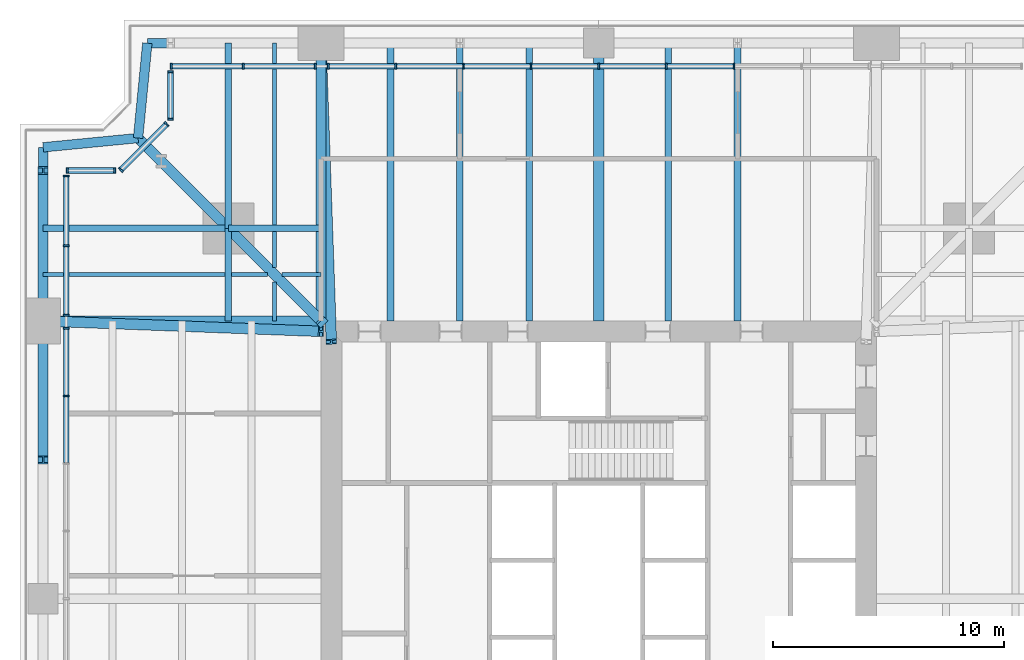
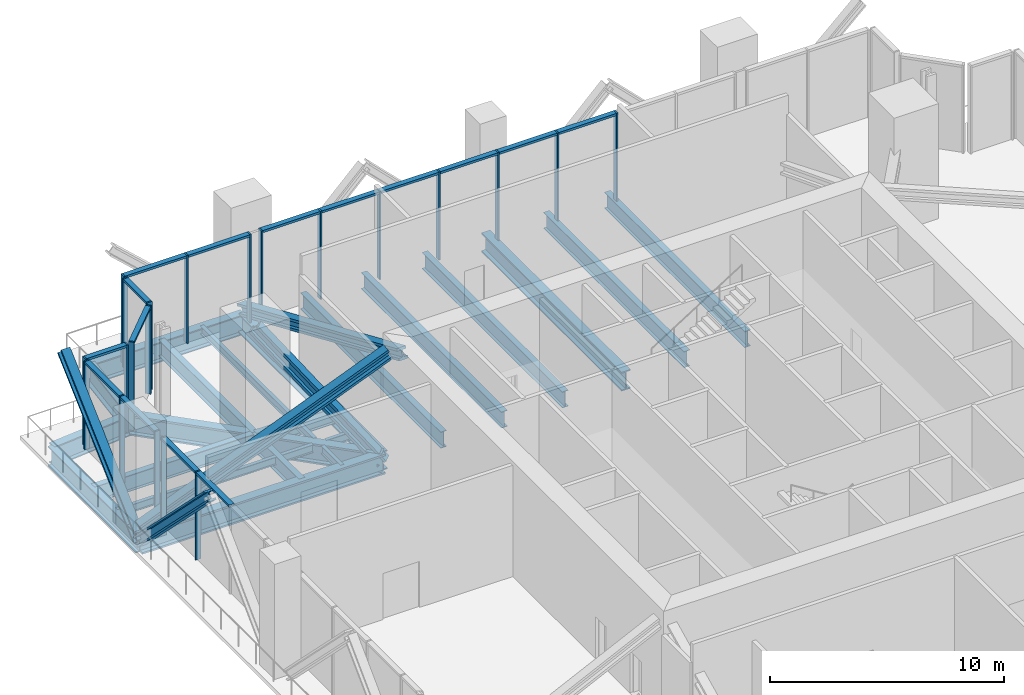
# One storey, part 7 of 14: 41 members, 24 beams, 7 elements without a shape of their own.
"""IFC4 building model written with IfcOpenShell, lengths in metres."""

from ifc_helpers import new_model, si_unit, direction, frame, origin, origin_2d, place, context, subcontext, project, spatial, rectangle, i_section, extrude, material, material_profile, profile_set, type_object, element, aggregate, save


model = new_model("IFC4")

# Units and contexts
model_context = context("Model", 3, precision=1e-05, world=origin(), true_north=direction((0.0, 1.0)))
body_context = subcontext(model_context, "Body", "Model", "MODEL_VIEW")
ifc_project = project(units=[si_unit("LENGTHUNIT", "METRE"), si_unit("AREAUNIT", "SQUARE_METRE"), si_unit("VOLUMEUNIT", "CUBIC_METRE"), si_unit("PLANEANGLEUNIT", "RADIAN"), si_unit("MASSUNIT", "GRAM", prefix="KILO")], contexts=[model_context])

# Site, building, storey
site_placement = place(None, origin())
site = spatial("IfcSite", under=ifc_project, at=site_placement, CompositionType="ELEMENT")
building_placement = place(site_placement, origin())
building = spatial("IfcBuilding", under=site, at=building_placement, Name="Fenwick Lantern Interchange", CompositionType="ELEMENT")
storey_placement = place(building_placement, frame((0.0, 0.0, 162.39990234375)))
storey = spatial("IfcBuildingStorey", under=building, at=storey_placement, Name="L38", CompositionType="ELEMENT", Elevation=162.39990234375)

# Members
ifc_material_1 = material(Name="Steel ASTM A992 Grade 50", Category="steel")
ifc_material_profile_1 = material_profile(ifc_material_1, i_section(OverallWidth=0.431884765625, OverallDepth=0.497802734375, WebThickness=0.0556640625, FlangeThickness=0.0888671875, at=origin_2d()), Name="W14X500")
ifc_profile_set_1 = profile_set([ifc_material_profile_1], Name="Steel ASTM A992 Grade 50")
member_type_1 = type_object("IfcMemberType", Name="BELT TRUSS DIAGONAL W14X500", PredefinedType="BRACE", material=ifc_profile_set_1)
member_1_placement = place(storey_placement, frame((1.0, 37.0, -0.64990234375), z_axis=(0.0, 0.734803444627, 0.678280102733), x_axis=(-1.0, 0.0, 0.0)))
element("IfcMember", 1, at=member_1_placement, inside=storey, type_object=member_type_1, Name="L38/BT/W/D1", PredefinedType="BRACE", context=body_context, shape_type="SweptSolid", body=[
    extrude(i_section(OverallWidth=0.431884765625, OverallDepth=0.497802734375, WebThickness=0.0556640625, FlangeThickness=0.0888671875, at=origin_2d()), origin(), (0.0, 0.0, 1.0), 8.845947265625),
])
member_2_placement = place(storey_placement, frame((1.0, 37.0, -0.64990234375), z_axis=(0.0, -0.707106781187, 0.707106781187), x_axis=(1.0, 0.0, 0.0)))
element("IfcMember", 2, at=member_2_placement, inside=storey, type_object=member_type_1, Name="L38/BT/W/D2", PredefinedType="BRACE", context=body_context, shape_type="SweptSolid", body=[
    extrude(i_section(OverallWidth=0.431884765625, OverallDepth=0.497802734375, WebThickness=0.0556640625, FlangeThickness=0.0888671875, at=origin_2d()), origin(), (0.0, 0.0, 1.0), 8.4853515625),
])

# Beams
ifc_material_profile_2 = material_profile(ifc_material_1, i_section(OverallWidth=0.408935546875, OverallDepth=1.04150390625, WebThickness=0.031005859375, FlangeThickness=0.055908203125, at=origin_2d()), Name="W40X397")
ifc_profile_set_2 = profile_set([ifc_material_profile_2], Name="Steel ASTM A992 Grade 50")
beam_type_1 = type_object("IfcBeamType", Name="EDGE BEAM W40X397", PredefinedType="SPANDREL", material=ifc_profile_set_2)
beam_1_placement = place(storey_placement, frame((13.0, 49.0, -0.720703125), z_axis=(-1.0, 0.0, 0.0), x_axis=(0.0, -1.0, 0.0)))
element("IfcBeam", 3, at=beam_1_placement, inside=storey, type_object=beam_type_1, Name="L38/FR/N/EB4", PredefinedType="SPANDREL", context=body_context, shape_type="SweptSolid", body=[
    extrude(i_section(OverallWidth=0.408935546875, OverallDepth=1.04150390625, WebThickness=0.031005859375, FlangeThickness=0.055908203125, at=origin_2d()), origin(), (0.0, 0.0, 1.0), 7.5),
])
for number, where, z_axis, x_axis, name in (
    (4, (5.5, 49.0, -0.720703125), (-0.097074191287, -0.995277148028, 0.0), (0.995277148028, -0.097074191287, 0.0), "L38/FR/N/EBR1"),
    (5, (5.10009765625, 44.89990234375, -0.720703125), (-0.995277148028, -0.097074191287, 0.0), (0.097074191287, -0.995277148028, 0.0), "L38/FR/N/EBR2"),
):
    element("IfcBeam", number, at=place(storey_placement, frame(where, z_axis=z_axis, x_axis=x_axis)), inside=storey, type_object=beam_type_1, Name=name, PredefinedType="SPANDREL", context=body_context, shape_type="SweptSolid", body=[
        extrude(i_section(OverallWidth=0.408935546875, OverallDepth=1.04150390625, WebThickness=0.031005859375, FlangeThickness=0.055908203125, at=origin_2d()), origin(), (0.0, 0.0, 1.0), 4.11962890625),
    ])
beam_2_placement = place(storey_placement, frame((1.0, 44.5, -0.720703125), z_axis=(0.0, -1.0, 0.0), x_axis=(1.0, 0.0, 0.0)))
element("IfcBeam", 6, at=beam_2_placement, inside=storey, type_object=beam_type_1, Name="L38/FR/W/EB1", PredefinedType="SPANDREL", context=body_context, shape_type="SweptSolid", body=[
    extrude(i_section(OverallWidth=0.408935546875, OverallDepth=1.04150390625, WebThickness=0.031005859375, FlangeThickness=0.055908203125, at=origin_2d()), origin(), (0.0, 0.0, 1.0), 7.5),
])
ifc_material_profile_3 = material_profile(ifc_material_1, i_section(OverallWidth=0.2919921875, OverallDepth=0.845703125, WebThickness=0.015380859375, FlangeThickness=0.0244140625, at=origin_2d()), Name="W33X141")
ifc_profile_set_3 = profile_set([ifc_material_profile_3], Name="Steel ASTM A992 Grade 50")
beam_type_2 = type_object("IfcBeamType", Name="FLOOR BEAM W33X141", PredefinedType="BEAM", material=ifc_profile_set_3)
for number, where, z_axis, x_axis, name in (
    (7, (31.0, 49.0, -0.622802734375), (0.0, -1.0, 0.0), (1.0, 0.0, 0.0), "L38/FR/N/R03"),
    (8, (28.0, 49.0, -0.622802734375), (0.0, -1.0, 0.0), (1.0, 0.0, 0.0), "L38/FR/N/R04"),
    (9, (22.0, 49.0, -0.622802734375), (0.0, -1.0, 0.0), (1.0, 0.0, 0.0), "L38/FR/N/R06"),
    (10, (19.0, 49.0, -0.622802734375), (0.0, -1.0, 0.0), (1.0, 0.0, 0.0), "L38/FR/N/R07"),
    (11, (16.0, 49.0, -0.622802734375), (0.0, -1.0, 0.0), (1.0, 0.0, 0.0), "L38/FR/N/R08"),
):
    element("IfcBeam", number, at=place(storey_placement, frame(where, z_axis=z_axis, x_axis=x_axis)), inside=storey, type_object=beam_type_2, Name=name, PredefinedType="BEAM", context=body_context, shape_type="SweptSolid", body=[
        extrude(i_section(OverallWidth=0.2919921875, OverallDepth=0.845703125, WebThickness=0.015380859375, FlangeThickness=0.0244140625, at=origin_2d()), origin(), (0.0, 0.0, 1.0), 12.0),
    ])
ifc_material_profile_4 = material_profile(ifc_material_1, i_section(OverallWidth=0.177734375, OverallDepth=0.406494140625, WebThickness=0.0078125, FlangeThickness=0.012939453125, at=origin_2d()), Name="W16X40")
ifc_profile_set_4 = profile_set([ifc_material_profile_4], Name="Steel ASTM A992 Grade 50")
beam_type_3 = type_object("IfcBeamType", Name="INFILL BEAM W16X40", PredefinedType="JOIST", material=ifc_profile_set_4)
beam_3_placement = place(storey_placement, frame((1.0, 39.0, -0.403076171875), z_axis=(1.0, 0.0, 0.0), x_axis=(0.0, 1.0, 0.0)))
element("IfcBeam", 12, at=beam_3_placement, inside=storey, type_object=beam_type_3, Name="L38/FR/W/J1", PredefinedType="JOIST", context=body_context, shape_type="SweptSolid", body=[
    extrude(i_section(OverallWidth=0.177734375, OverallDepth=0.406494140625, WebThickness=0.0078125, FlangeThickness=0.012939453125, at=origin_2d()), origin(), (0.0, 0.0, 1.0), 7.85400390625),
])
beam_4_placement = place(storey_placement, frame((9.14599609375, 39.0, -0.403076171875), z_axis=(1.0, 0.0, 0.0), x_axis=(0.0, 1.0, 0.0)))
element("IfcBeam", 13, at=beam_4_placement, inside=storey, type_object=beam_type_3, Name="L38/FR/W/J2", PredefinedType="JOIST", context=body_context, shape_type="SweptSolid", body=[
    extrude(i_section(OverallWidth=0.177734375, OverallDepth=0.406494140625, WebThickness=0.0078125, FlangeThickness=0.012939453125, at=origin_2d()), origin(), (0.0, 0.0, 1.0), 1.537841796875),
])
beam_5_placement = place(storey_placement, frame((11.316162109375, 39.0, -0.403076171875), z_axis=(1.0, 0.0, 0.0), x_axis=(0.0, 1.0, 0.0)))
element("IfcBeam", 14, at=beam_5_placement, inside=storey, type_object=beam_type_3, Name="L38/FR/W/J6", PredefinedType="JOIST", context=body_context, shape_type="SweptSolid", body=[
    extrude(i_section(OverallWidth=0.177734375, OverallDepth=0.406494140625, WebThickness=0.0078125, FlangeThickness=0.012939453125, at=origin_2d()), origin(), (0.0, 0.0, 1.0), 1.683837890625),
])
beam_6_placement = place(storey_placement, frame((11.0, 49.0, -0.403076171875), z_axis=(0.0, -1.0, 0.0), x_axis=(1.0, 0.0, 0.0)))
element("IfcBeam", 15, at=beam_6_placement, inside=storey, type_object=beam_type_3, Name="L38/FR/W/J3", PredefinedType="JOIST", context=body_context, shape_type="SweptSolid", body=[
    extrude(i_section(OverallWidth=0.177734375, OverallDepth=0.406494140625, WebThickness=0.0078125, FlangeThickness=0.012939453125, at=origin_2d()), origin(), (0.0, 0.0, 1.0), 7.85400390625),
])
beam_7_placement = place(storey_placement, frame((11.0, 40.85400390625, -0.403076171875), z_axis=(0.0, -1.0, 0.0), x_axis=(1.0, 0.0, 0.0)))
element("IfcBeam", 16, at=beam_7_placement, inside=storey, type_object=beam_type_3, Name="L38/FR/W/J4", PredefinedType="JOIST", context=body_context, shape_type="SweptSolid", body=[
    extrude(i_section(OverallWidth=0.177734375, OverallDepth=0.406494140625, WebThickness=0.0078125, FlangeThickness=0.012939453125, at=origin_2d()), origin(), (0.0, 0.0, 1.0), 1.537841796875),
])
beam_8_placement = place(storey_placement, frame((11.0, 38.683837890625, -0.403076171875), z_axis=(0.0, -1.0, 0.0), x_axis=(1.0, 0.0, 0.0)))
element("IfcBeam", 17, at=beam_8_placement, inside=storey, type_object=beam_type_3, Name="L38/FR/W/J5", PredefinedType="JOIST", context=body_context, shape_type="SweptSolid", body=[
    extrude(i_section(OverallWidth=0.177734375, OverallDepth=0.406494140625, WebThickness=0.0078125, FlangeThickness=0.012939453125, at=origin_2d()), origin(), (0.0, 0.0, 1.0), 1.683837890625),
])
ifc_material_profile_5 = material_profile(ifc_material_1, i_section(OverallWidth=0.2919921875, OverallDepth=0.845703125, WebThickness=0.015380859375, FlangeThickness=0.0244140625, at=origin_2d()), Name="W33X141")
ifc_profile_set_5 = profile_set([ifc_material_profile_5], Name="Steel ASTM A992 Grade 50")
beam_type_4 = type_object("IfcBeamType", Name="MEGA COLUMN BEAM W33X141", PredefinedType="BEAM", material=ifc_profile_set_5)
for number, where, z_axis, x_axis, name in (
    (18, (9.0, 41.0, -0.622802734375), (-1.0, 0.0, 0.0), (0.0, -1.0, 0.0), "L38/FR/W/MB1"),
    (19, (9.0, 41.0, -0.622802734375), (0.0, 1.0, 0.0), (-1.0, 0.0, 0.0), "L38/FR/W/MB2"),
):
    element("IfcBeam", number, at=place(storey_placement, frame(where, z_axis=z_axis, x_axis=x_axis)), inside=storey, type_object=beam_type_4, Name=name, PredefinedType="BEAM", context=body_context, shape_type="SweptSolid", body=[
        extrude(i_section(OverallWidth=0.2919921875, OverallDepth=0.845703125, WebThickness=0.015380859375, FlangeThickness=0.0244140625, at=origin_2d()), origin(), (0.0, 0.0, 1.0), 8.0),
    ])
for number, where, z_axis, x_axis, name in (
    (20, (9.0, 41.0, -0.622802734375), (0.0, -1.0, 0.0), (1.0, 0.0, 0.0), "L38/FR/W/MB3"),
    (21, (9.0, 41.0, -0.622802734375), (1.0, 0.0, 0.0), (0.0, 1.0, 0.0), "L38/FR/W/MB4"),
):
    element("IfcBeam", number, at=place(storey_placement, frame(where, z_axis=z_axis, x_axis=x_axis)), inside=storey, type_object=beam_type_4, Name=name, PredefinedType="BEAM", context=body_context, shape_type="SweptSolid", body=[
        extrude(i_section(OverallWidth=0.2919921875, OverallDepth=0.845703125, WebThickness=0.015380859375, FlangeThickness=0.0244140625, at=origin_2d()), origin(), (0.0, 0.0, 1.0), 4.0),
    ])
ifc_material_profile_6 = material_profile(ifc_material_1, i_section(OverallWidth=0.434326171875, OverallDepth=0.9931640625, WebThickness=0.0380859375, FlangeThickness=0.06396484375, at=origin_2d()), Name="W36X487")
ifc_profile_set_6 = profile_set([ifc_material_profile_6], Name="Steel ASTM A992 Grade 50")
beam_type_5 = type_object("IfcBeamType", Name="MOMENT-CONNECTED GIRDER W36X487", PredefinedType="BEAM", material=ifc_profile_set_6)
for number, where, z_axis, x_axis, name in (
    (22, (25.0, 49.0, -0.696533203125), (0.0, -1.0, 0.0), (1.0, 0.0, 0.0), "L38/FR/N/R05"),
    (23, (13.0, 49.0, -0.696533203125), (0.0, -1.0, 0.0), (1.0, 0.0, 0.0), "L38/FR/N/R09"),
):
    element("IfcBeam", number, at=place(storey_placement, frame(where, z_axis=z_axis, x_axis=x_axis)), inside=storey, type_object=beam_type_5, Name=name, PredefinedType="BEAM", context=body_context, shape_type="SweptSolid", body=[
        extrude(i_section(OverallWidth=0.434326171875, OverallDepth=0.9931640625, WebThickness=0.0380859375, FlangeThickness=0.06396484375, at=origin_2d()), origin(), (0.0, 0.0, 1.0), 12.0),
    ])
ifc_material_profile_7 = material_profile(ifc_material_1, i_section(OverallWidth=0.447021484375, OverallDepth=1.0439453125, WebThickness=0.050048828125, FlangeThickness=0.08984375, at=origin_2d()), Name="W36X652")
ifc_profile_set_7 = profile_set([ifc_material_profile_7], Name="Steel ASTM A992 Grade 50")
beam_type_6 = type_object("IfcBeamType", Name="MOMENT-CONNECTED GIRDER W36X652", PredefinedType="BEAM", material=ifc_profile_set_7)
beam_9_placement = place(storey_placement, frame((1.0, 37.0, -0.721923828125), z_axis=(1.0, 0.0, 0.0), x_axis=(0.0, 1.0, 0.0)))
element("IfcBeam", 24, at=beam_9_placement, inside=storey, type_object=beam_type_6, Name="L38/FR/W/R01", PredefinedType="BEAM", context=body_context, shape_type="SweptSolid", body=[
    extrude(i_section(OverallWidth=0.447021484375, OverallDepth=1.0439453125, WebThickness=0.050048828125, FlangeThickness=0.08984375, at=origin_2d()), origin(), (0.0, 0.0, 1.0), 12.0),
])
ifc_material_profile_8 = material_profile(ifc_material_1, i_section(OverallWidth=0.447021484375, OverallDepth=1.0439453125, WebThickness=0.050048828125, FlangeThickness=0.08984375, at=origin_2d()), Name="W36X652")
ifc_profile_set_8 = profile_set([ifc_material_profile_8], Name="Steel ASTM A992 Grade 50")
beam_type_7 = type_object("IfcBeamType", Name="NOTCH BEAM W36X652", PredefinedType="BEAM", material=ifc_profile_set_8)
beam_10_placement = place(storey_placement, frame((9.0, 41.0, -0.721923828125), z_axis=(-0.707106781187, 0.707106781187, 0.0), x_axis=(-0.707106781187, -0.707106781187, 0.0)))
element("IfcBeam", 25, at=beam_10_placement, inside=storey, type_object=beam_type_7, Name="L38/FR/W/TG", PredefinedType="BEAM", context=body_context, shape_type="SweptSolid", body=[
    extrude(i_section(OverallWidth=0.447021484375, OverallDepth=1.0439453125, WebThickness=0.050048828125, FlangeThickness=0.08984375, at=origin_2d()), origin(), (0.0, 0.0, 1.0), 5.515380859375),
])
ifc_material_profile_9 = material_profile(ifc_material_1, i_section(OverallWidth=0.447021484375, OverallDepth=1.0439453125, WebThickness=0.050048828125, FlangeThickness=0.08984375, at=origin_2d()), Name="W36X652")
ifc_profile_set_9 = profile_set([ifc_material_profile_9], Name="Steel ASTM A992 Grade 50")
beam_type_8 = type_object("IfcBeamType", Name="OUTRIGGER CHORD W36X652", PredefinedType="BEAM", material=ifc_profile_set_9)
beam_11_placement = place(storey_placement, frame((13.0, 37.0, -0.721923828125), z_axis=(-0.707106781187, 0.707106781187, 0.0), x_axis=(-0.707106781187, -0.707106781187, 0.0)))
element("IfcBeam", 26, at=beam_11_placement, inside=storey, type_object=beam_type_8, Name="L38/OR/W/BC", PredefinedType="BEAM", context=body_context, shape_type="SweptSolid", body=[
    extrude(i_section(OverallWidth=0.447021484375, OverallDepth=1.0439453125, WebThickness=0.050048828125, FlangeThickness=0.08984375, at=origin_2d()), origin(), (0.0, 0.0, 1.0), 5.65673828125),
])

# Members
ifc_material_profile_10 = material_profile(ifc_material_1, i_section(OverallWidth=0.45458984375, OverallDepth=0.56884765625, WebThickness=0.077880859375, FlangeThickness=0.124755859375, at=origin_2d()), Name="W14X730")
ifc_profile_set_10 = profile_set([ifc_material_profile_10], Name="Steel ASTM A992 Grade 50")
member_type_2 = type_object("IfcMemberType", Name="OUTRIGGER DIAGONAL W14X730", PredefinedType="BRACE", material=ifc_profile_set_10)
member_3_placement = place(storey_placement, frame((13.0, 49.0, 0.0), z_axis=(0.032243448773, -0.924405505307, 0.380045815356), x_axis=(0.999392240336, 0.034859001078, 0.0)))
element("IfcMember", 27, at=member_3_placement, inside=storey, type_object=member_type_2, Name="L38/OR/N/W2", PredefinedType="BRACE", context=body_context, shape_type="SweptSolid", body=[
    extrude(i_section(OverallWidth=0.45458984375, OverallDepth=0.56884765625, WebThickness=0.077880859375, FlangeThickness=0.124755859375, at=origin_2d()), origin(), (0.0, 0.0, 1.0), 13.954833984375),
])
member_4_placement = place(storey_placement, frame((13.0, 37.0, -0.721923828125), z_axis=(-0.485071250073, 0.485071250073, 0.727606875109), x_axis=(-0.707106781187, -0.707106781187, 0.0)))
element("IfcMember", 28, at=member_4_placement, inside=storey, type_object=member_type_2, Name="L38/OR/W/D", PredefinedType="BRACE", context=body_context, shape_type="SweptSolid", body=[
    extrude(i_section(OverallWidth=0.45458984375, OverallDepth=0.56884765625, WebThickness=0.077880859375, FlangeThickness=0.124755859375, at=origin_2d()), origin(), (0.0, 0.0, 1.0), 8.24609375),
])
member_5_placement = place(storey_placement, frame((1.0, 37.0, 0.0), z_axis=(0.914830425653, -0.034302418507, 0.402378722579), x_axis=(0.037469600146, 0.999297767968, 0.0)))
element("IfcMember", 29, at=member_5_placement, inside=storey, type_object=member_type_2, Name="L38/OR/W/W1", PredefinedType="BRACE", context=body_context, shape_type="SweptSolid", body=[
    extrude(i_section(OverallWidth=0.45458984375, OverallDepth=0.56884765625, WebThickness=0.077880859375, FlangeThickness=0.124755859375, at=origin_2d()), origin(), (0.0, 0.0, 1.0), 13.1171875),
])

# Curtain wall, members
ifc_material_2 = material(Name="Aluminium curtain wall frame", Category="aluminium")
curtain_wall_type = type_object("IfcCurtainWallType", Name="PLANT LOUVRE SCREEN", PredefinedType="USERDEFINED", material=ifc_material_2)
curtain_wall_1_placement = place(storey_placement, origin())
curtain_wall_1 = element("IfcCurtainWall", 30, at=curtain_wall_1_placement, inside=storey, type_object=curtain_wall_type, Name="Plant louvre screen 08B", ObjectType="PLANT LOUVRE SCREEN", PredefinedType="USERDEFINED")
ifc_material_3 = material(Name="Aluminium extrusion", Category="aluminium")
ifc_material_profile_11 = material_profile(ifc_material_3, rectangle(XDim=0.25, YDim=0.074951171875, at=origin_2d()), Name="PLANT LOUVRE SCREEN MULLION 75 X 250")
ifc_profile_set_11 = profile_set([ifc_material_profile_11], Name="Aluminium extrusion")
member_type_3 = type_object("IfcMemberType", Name="PLANT LOUVRE SCREEN MULLION 75 X 250", PredefinedType="MULLION", material=ifc_profile_set_11)
member_6_placement = place(storey_placement, frame((30.8427734375, 48.0, 0.0), z_axis=(0.0, 0.0, 1.0), x_axis=(0.0, -1.0, 0.0)))
member_6 = element("IfcMember", 31, at=member_6_placement, type_object=member_type_3, Name="L38/CW/08B/M02", PredefinedType="MULLION", context=body_context, shape_type="SweptSolid", body=[
    extrude(rectangle(XDim=0.25, YDim=0.074951171875, at=origin_2d()), origin(), (0.0, 0.0, 1.0), 4.60009765625),
])
member_7_placement = place(storey_placement, frame((27.92138671875, 48.0, 0.0), z_axis=(0.0, 0.0, 1.0), x_axis=(0.0, -1.0, 0.0)))
member_7 = element("IfcMember", 32, at=member_7_placement, type_object=member_type_3, Name="L38/CW/08B/M03", PredefinedType="MULLION", context=body_context, shape_type="SweptSolid", body=[
    extrude(rectangle(XDim=0.25, YDim=0.074951171875, at=origin_2d()), origin(), (0.0, 0.0, 1.0), 4.60009765625),
])
member_8_placement = place(storey_placement, frame((25.0, 48.0, 0.0), z_axis=(0.0, 0.0, 1.0), x_axis=(0.0, -1.0, 0.0)))
member_8 = element("IfcMember", 33, at=member_8_placement, type_object=member_type_3, Name="L38/CW/08B/M04", PredefinedType="MULLION", context=body_context, shape_type="SweptSolid", body=[
    extrude(rectangle(XDim=0.25, YDim=0.074951171875, at=origin_2d()), origin(), (0.0, 0.0, 1.0), 4.60009765625),
])
member_9_placement = place(storey_placement, frame((22.07861328125, 48.0, 0.0), z_axis=(0.0, 0.0, 1.0), x_axis=(0.0, -1.0, 0.0)))
member_9 = element("IfcMember", 34, at=member_9_placement, type_object=member_type_3, Name="L38/CW/08B/M05", PredefinedType="MULLION", context=body_context, shape_type="SweptSolid", body=[
    extrude(rectangle(XDim=0.25, YDim=0.074951171875, at=origin_2d()), origin(), (0.0, 0.0, 1.0), 4.60009765625),
])
member_10_placement = place(storey_placement, frame((19.1572265625, 48.0, 0.0), z_axis=(0.0, 0.0, 1.0), x_axis=(0.0, -1.0, 0.0)))
member_10 = element("IfcMember", 35, at=member_10_placement, type_object=member_type_3, Name="L38/CW/08B/M06", PredefinedType="MULLION", context=body_context, shape_type="SweptSolid", body=[
    extrude(rectangle(XDim=0.25, YDim=0.074951171875, at=origin_2d()), origin(), (0.0, 0.0, 1.0), 4.60009765625),
])
member_11_placement = place(storey_placement, frame((16.235595703125, 48.0, 0.0), z_axis=(0.0, 0.0, 1.0), x_axis=(0.0, -1.0, 0.0)))
member_11 = element("IfcMember", 36, at=member_11_placement, type_object=member_type_3, Name="L38/CW/08B/M07", PredefinedType="MULLION", context=body_context, shape_type="SweptSolid", body=[
    extrude(rectangle(XDim=0.25, YDim=0.074951171875, at=origin_2d()), origin(), (0.0, 0.0, 1.0), 4.60009765625),
])
member_12_placement = place(storey_placement, frame((13.314208984375, 48.0, 0.0), z_axis=(0.0, 0.0, 1.0), x_axis=(0.0, -1.0, 0.0)))
member_12 = element("IfcMember", 37, at=member_12_placement, type_object=member_type_3, Name="L38/CW/08B/M08", PredefinedType="MULLION", context=body_context, shape_type="SweptSolid", body=[
    extrude(rectangle(XDim=0.25, YDim=0.074951171875, at=origin_2d()), origin(), (0.0, 0.0, 1.0), 4.60009765625),
])

curtain_wall_2_placement = place(storey_placement, origin())
curtain_wall_2 = element("IfcCurtainWall", 38, at=curtain_wall_2_placement, inside=storey, type_object=curtain_wall_type, Name="Plant louvre screen 08C", ObjectType="PLANT LOUVRE SCREEN", PredefinedType="USERDEFINED")
member_13_placement = place(storey_placement, frame((12.755615234375, 48.0, 0.0), z_axis=(0.0, 0.0, 1.0), x_axis=(0.0, -1.0, 0.0)))
member_13 = element("IfcMember", 39, at=member_13_placement, type_object=member_type_3, Name="L38/CW/08C/M00", PredefinedType="MULLION", context=body_context, shape_type="SweptSolid", body=[
    extrude(rectangle(XDim=0.25, YDim=0.074951171875, at=origin_2d()), origin(), (0.0, 0.0, 1.0), 4.60009765625),
])
member_14_placement = place(storey_placement, frame((9.646484375, 48.0, 0.0), z_axis=(0.0, 0.0, 1.0), x_axis=(0.0, -1.0, 0.0)))
member_14 = element("IfcMember", 40, at=member_14_placement, type_object=member_type_3, Name="L38/CW/08C/M01", PredefinedType="MULLION", context=body_context, shape_type="SweptSolid", body=[
    extrude(rectangle(XDim=0.25, YDim=0.074951171875, at=origin_2d()), origin(), (0.0, 0.0, 1.0), 4.60009765625),
])
member_15_placement = place(storey_placement, frame((6.53759765625, 48.0, 0.0), z_axis=(0.0, 0.0, 1.0), x_axis=(0.0, -1.0, 0.0)))
member_15 = element("IfcMember", 41, at=member_15_placement, type_object=member_type_3, Name="L38/CW/08C/M02", PredefinedType="MULLION", context=body_context, shape_type="SweptSolid", body=[
    extrude(rectangle(XDim=0.25, YDim=0.074951171875, at=origin_2d()), origin(), (0.0, 0.0, 1.0), 4.60009765625),
])

curtain_wall_3_placement = place(storey_placement, origin())
curtain_wall_3 = element("IfcCurtainWall", 42, at=curtain_wall_3_placement, inside=storey, type_object=curtain_wall_type, Name="Plant louvre screen 09", ObjectType="PLANT LOUVRE SCREEN", PredefinedType="USERDEFINED")
member_16_placement = place(storey_placement, frame((6.5, 47.762451171875, 0.0), z_axis=(0.0, 0.0, 1.0), x_axis=(1.0, 0.0, 0.0)))
member_16 = element("IfcMember", 43, at=member_16_placement, type_object=member_type_3, Name="L38/CW/09/M00", PredefinedType="MULLION", context=body_context, shape_type="SweptSolid", body=[
    extrude(rectangle(XDim=0.25, YDim=0.074951171875, at=origin_2d()), origin(), (0.0, 0.0, 1.0), 4.60009765625),
])
member_17_placement = place(storey_placement, frame((6.5, 45.708984375, 0.0), z_axis=(0.0, 0.0, 1.0), x_axis=(1.0, 0.0, 0.0)))
member_17 = element("IfcMember", 44, at=member_17_placement, type_object=member_type_3, Name="L38/CW/09/M01", PredefinedType="MULLION", context=body_context, shape_type="SweptSolid", body=[
    extrude(rectangle(XDim=0.25, YDim=0.074951171875, at=origin_2d()), origin(), (0.0, 0.0, 1.0), 4.60009765625),
])

curtain_wall_4_placement = place(storey_placement, origin())
curtain_wall_4 = element("IfcCurtainWall", 45, at=curtain_wall_4_placement, inside=storey, type_object=curtain_wall_type, Name="Plant louvre screen 10", ObjectType="PLANT LOUVRE SCREEN", PredefinedType="USERDEFINED")
member_18_placement = place(storey_placement, frame((6.33203125, 45.503662109375, 0.0), z_axis=(0.0, 0.0, 1.0), x_axis=(0.707106781187, -0.707106781187, 0.0)))
member_18 = element("IfcMember", 46, at=member_18_placement, type_object=member_type_3, Name="L38/CW/10/M00", PredefinedType="MULLION", context=body_context, shape_type="SweptSolid", body=[
    extrude(rectangle(XDim=0.25, YDim=0.074951171875, at=origin_2d()), origin(), (0.0, 0.0, 1.0), 4.60009765625),
])
member_19_placement = place(storey_placement, frame((4.35498046875, 43.526611328125, 0.0), z_axis=(0.0, 0.0, 1.0), x_axis=(0.707106781187, -0.707106781187, 0.0)))
member_19 = element("IfcMember", 47, at=member_19_placement, type_object=member_type_3, Name="L38/CW/10/M01", PredefinedType="MULLION", context=body_context, shape_type="SweptSolid", body=[
    extrude(rectangle(XDim=0.25, YDim=0.074951171875, at=origin_2d()), origin(), (0.0, 0.0, 1.0), 4.60009765625),
])

curtain_wall_5_placement = place(storey_placement, origin())
curtain_wall_5 = element("IfcCurtainWall", 48, at=curtain_wall_5_placement, inside=storey, type_object=curtain_wall_type, Name="Plant louvre screen 11", ObjectType="PLANT LOUVRE SCREEN", PredefinedType="USERDEFINED")
member_20_placement = place(storey_placement, frame((4.0908203125, 43.5, 0.0), z_axis=(0.0, 0.0, 1.0), x_axis=(0.0, -1.0, 0.0)))
member_20 = element("IfcMember", 49, at=member_20_placement, type_object=member_type_3, Name="L38/CW/11/M00", PredefinedType="MULLION", context=body_context, shape_type="SweptSolid", body=[
    extrude(rectangle(XDim=0.25, YDim=0.074951171875, at=origin_2d()), origin(), (0.0, 0.0, 1.0), 4.60009765625),
])
member_21_placement = place(storey_placement, frame((2.03759765625, 43.5, 0.0), z_axis=(0.0, 0.0, 1.0), x_axis=(0.0, -1.0, 0.0)))
member_21 = element("IfcMember", 50, at=member_21_placement, type_object=member_type_3, Name="L38/CW/11/M01", PredefinedType="MULLION", context=body_context, shape_type="SweptSolid", body=[
    extrude(rectangle(XDim=0.25, YDim=0.074951171875, at=origin_2d()), origin(), (0.0, 0.0, 1.0), 4.60009765625),
])

curtain_wall_6_placement = place(storey_placement, origin())
curtain_wall_6 = element("IfcCurtainWall", 51, at=curtain_wall_6_placement, inside=storey, type_object=curtain_wall_type, Name="Plant louvre screen 12A", ObjectType="PLANT LOUVRE SCREEN", PredefinedType="USERDEFINED")
member_22_placement = place(storey_placement, frame((2.0, 43.262451171875, 0.0), z_axis=(0.0, 0.0, 1.0), x_axis=(1.0, 0.0, 0.0)))
member_22 = element("IfcMember", 52, at=member_22_placement, type_object=member_type_3, Name="L38/CW/12A/M00", PredefinedType="MULLION", context=body_context, shape_type="SweptSolid", body=[
    extrude(rectangle(XDim=0.25, YDim=0.074951171875, at=origin_2d()), origin(), (0.0, 0.0, 1.0), 4.60009765625),
])
member_23_placement = place(storey_placement, frame((2.0, 40.25244140625, 0.0), z_axis=(0.0, 0.0, 1.0), x_axis=(1.0, 0.0, 0.0)))
member_23 = element("IfcMember", 53, at=member_23_placement, type_object=member_type_3, Name="L38/CW/12A/M01", PredefinedType="MULLION", context=body_context, shape_type="SweptSolid", body=[
    extrude(rectangle(XDim=0.25, YDim=0.074951171875, at=origin_2d()), origin(), (0.0, 0.0, 1.0), 4.60009765625),
])
member_24_placement = place(storey_placement, frame((2.0, 37.2421875, 0.0), z_axis=(0.0, 0.0, 1.0), x_axis=(1.0, 0.0, 0.0)))
member_24 = element("IfcMember", 54, at=member_24_placement, type_object=member_type_3, Name="L38/CW/12A/M02", PredefinedType="MULLION", context=body_context, shape_type="SweptSolid", body=[
    extrude(rectangle(XDim=0.25, YDim=0.074951171875, at=origin_2d()), origin(), (0.0, 0.0, 1.0), 4.60009765625),
])

curtain_wall_7_placement = place(storey_placement, origin())
curtain_wall_7 = element("IfcCurtainWall", 55, at=curtain_wall_7_placement, inside=storey, type_object=curtain_wall_type, Name="Plant louvre screen 12B", ObjectType="PLANT LOUVRE SCREEN", PredefinedType="USERDEFINED")
member_25_placement = place(storey_placement, frame((2.0, 36.682861328125, 0.0), z_axis=(0.0, 0.0, 1.0), x_axis=(1.0, 0.0, 0.0)))
member_25 = element("IfcMember", 56, at=member_25_placement, type_object=member_type_3, Name="L38/CW/12B/M00", PredefinedType="MULLION", context=body_context, shape_type="SweptSolid", body=[
    extrude(rectangle(XDim=0.25, YDim=0.074951171875, at=origin_2d()), origin(), (0.0, 0.0, 1.0), 4.60009765625),
])
member_26_placement = place(storey_placement, frame((2.0, 33.76220703125, 0.0), z_axis=(0.0, 0.0, 1.0), x_axis=(1.0, 0.0, 0.0)))
member_26 = element("IfcMember", 57, at=member_26_placement, type_object=member_type_3, Name="L38/CW/12B/M01", PredefinedType="MULLION", context=body_context, shape_type="SweptSolid", body=[
    extrude(rectangle(XDim=0.25, YDim=0.074951171875, at=origin_2d()), origin(), (0.0, 0.0, 1.0), 4.60009765625),
])

# Member
ifc_material_profile_12 = material_profile(ifc_material_3, rectangle(XDim=0.25, YDim=0.1201171875, at=origin_2d()), Name="PLANT LOUVRE SCREEN TRANSOM 120 X 250")
ifc_profile_set_12 = profile_set([ifc_material_profile_12], Name="Aluminium extrusion")
member_type_4 = type_object("IfcMemberType", Name="PLANT LOUVRE SCREEN TRANSOM 120 X 250", PredefinedType="MULLION", material=ifc_profile_set_12)
member_27_placement = place(storey_placement, frame((30.805419921875, 48.0, 4.5400390625), z_axis=(-1.0, 0.0, 0.0), x_axis=(0.0, -1.0, 0.0)))
member_27 = element("IfcMember", 58, at=member_27_placement, type_object=member_type_4, Name="L38/CW/08B/T02", PredefinedType="MULLION", context=body_context, shape_type="SweptSolid", body=[
    extrude(rectangle(XDim=0.25, YDim=0.1201171875, at=origin_2d()), origin(), (0.0, 0.0, 1.0), 2.846435546875),
])

member_28_placement = place(storey_placement, frame((27.884033203125, 48.0, 4.5400390625), z_axis=(-1.0, 0.0, 0.0), x_axis=(0.0, -1.0, 0.0)))
member_28 = element("IfcMember", 59, at=member_28_placement, type_object=member_type_4, Name="L38/CW/08B/T03", PredefinedType="MULLION", context=body_context, shape_type="SweptSolid", body=[
    extrude(rectangle(XDim=0.25, YDim=0.1201171875, at=origin_2d()), origin(), (0.0, 0.0, 1.0), 2.846435546875),
])

member_29_placement = place(storey_placement, frame((24.96240234375, 48.0, 4.5400390625), z_axis=(-1.0, 0.0, 0.0), x_axis=(0.0, -1.0, 0.0)))
member_29 = element("IfcMember", 60, at=member_29_placement, type_object=member_type_4, Name="L38/CW/08B/T04", PredefinedType="MULLION", context=body_context, shape_type="SweptSolid", body=[
    extrude(rectangle(XDim=0.25, YDim=0.1201171875, at=origin_2d()), origin(), (0.0, 0.0, 1.0), 2.846435546875),
])

member_30_placement = place(storey_placement, frame((22.041015625, 48.0, 4.5400390625), z_axis=(-1.0, 0.0, 0.0), x_axis=(0.0, -1.0, 0.0)))
member_30 = element("IfcMember", 61, at=member_30_placement, type_object=member_type_4, Name="L38/CW/08B/T05", PredefinedType="MULLION", context=body_context, shape_type="SweptSolid", body=[
    extrude(rectangle(XDim=0.25, YDim=0.1201171875, at=origin_2d()), origin(), (0.0, 0.0, 1.0), 2.846435546875),
])

member_31_placement = place(storey_placement, frame((19.11962890625, 48.0, 4.5400390625), z_axis=(-1.0, 0.0, 0.0), x_axis=(0.0, -1.0, 0.0)))
member_31 = element("IfcMember", 62, at=member_31_placement, type_object=member_type_4, Name="L38/CW/08B/T06", PredefinedType="MULLION", context=body_context, shape_type="SweptSolid", body=[
    extrude(rectangle(XDim=0.25, YDim=0.1201171875, at=origin_2d()), origin(), (0.0, 0.0, 1.0), 2.846435546875),
])

member_32_placement = place(storey_placement, frame((16.1982421875, 48.0, 4.5400390625), z_axis=(-1.0, 0.0, 0.0), x_axis=(0.0, -1.0, 0.0)))
member_32 = element("IfcMember", 63, at=member_32_placement, type_object=member_type_4, Name="L38/CW/08B/T07", PredefinedType="MULLION", context=body_context, shape_type="SweptSolid", body=[
    extrude(rectangle(XDim=0.25, YDim=0.1201171875, at=origin_2d()), origin(), (0.0, 0.0, 1.0), 2.846435546875),
])

aggregate(curtain_wall_1, [member_6, member_7, member_8, member_9, member_10, member_11, member_12, member_27, member_28, member_29, member_30, member_31, member_32])

member_33_placement = place(storey_placement, frame((12.718017578125, 48.0, 4.5400390625), z_axis=(-1.0, 0.0, 0.0), x_axis=(0.0, -1.0, 0.0)))
member_33 = element("IfcMember", 64, at=member_33_placement, type_object=member_type_4, Name="L38/CW/08C/T00", PredefinedType="MULLION", context=body_context, shape_type="SweptSolid", body=[
    extrude(rectangle(XDim=0.25, YDim=0.1201171875, at=origin_2d()), origin(), (0.0, 0.0, 1.0), 3.033935546875),
])

member_34_placement = place(storey_placement, frame((9.609130859375, 48.0, 4.5400390625), z_axis=(-1.0, 0.0, 0.0), x_axis=(0.0, -1.0, 0.0)))
member_34 = element("IfcMember", 65, at=member_34_placement, type_object=member_type_4, Name="L38/CW/08C/T01", PredefinedType="MULLION", context=body_context, shape_type="SweptSolid", body=[
    extrude(rectangle(XDim=0.25, YDim=0.1201171875, at=origin_2d()), origin(), (0.0, 0.0, 1.0), 3.0341796875),
])

aggregate(curtain_wall_2, [member_13, member_14, member_15, member_33, member_34])

member_35_placement = place(storey_placement, frame((6.5, 47.72509765625, 4.5400390625), z_axis=(0.0, -1.0, 0.0), x_axis=(1.0, 0.0, 0.0)))
member_35 = element("IfcMember", 66, at=member_35_placement, type_object=member_type_4, Name="L38/CW/09/T00", PredefinedType="MULLION", context=body_context, shape_type="SweptSolid", body=[
    extrude(rectangle(XDim=0.25, YDim=0.1201171875, at=origin_2d()), origin(), (0.0, 0.0, 1.0), 1.978515625),
])

aggregate(curtain_wall_3, [member_16, member_17, member_35])

member_36_placement = place(storey_placement, frame((6.3056640625, 45.47705078125, 4.5400390625), z_axis=(-0.707151638406, -0.707061921121, 0.0), x_axis=(0.707061921121, -0.707151638406, 0.0)))
member_36 = element("IfcMember", 67, at=member_36_placement, type_object=member_type_4, Name="L38/CW/10/T00", PredefinedType="MULLION", context=body_context, shape_type="SweptSolid", body=[
    extrude(rectangle(XDim=0.25, YDim=0.1201171875, at=origin_2d()), origin(), (0.0, 0.0, 1.0), 2.72119140625),
])

aggregate(curtain_wall_4, [member_18, member_19, member_36])

member_37_placement = place(storey_placement, frame((4.053466796875, 43.5, 4.5400390625), z_axis=(-1.0, 0.0, 0.0), x_axis=(0.0, -1.0, 0.0)))
member_37 = element("IfcMember", 68, at=member_37_placement, type_object=member_type_4, Name="L38/CW/11/T00", PredefinedType="MULLION", context=body_context, shape_type="SweptSolid", body=[
    extrude(rectangle(XDim=0.25, YDim=0.1201171875, at=origin_2d()), origin(), (0.0, 0.0, 1.0), 1.978515625),
])

aggregate(curtain_wall_5, [member_20, member_21, member_37])

member_38_placement = place(storey_placement, frame((2.0, 43.22509765625, 4.5400390625), z_axis=(0.0, -1.0, 0.0), x_axis=(1.0, 0.0, 0.0)))
member_38 = element("IfcMember", 69, at=member_38_placement, type_object=member_type_4, Name="L38/CW/12A/T00", PredefinedType="MULLION", context=body_context, shape_type="SweptSolid", body=[
    extrude(rectangle(XDim=0.25, YDim=0.1201171875, at=origin_2d()), origin(), (0.0, 0.0, 1.0), 2.935302734375),
])

member_39_placement = place(storey_placement, frame((2.0, 40.21484375, 4.5400390625), z_axis=(0.0, -1.0, 0.0), x_axis=(1.0, 0.0, 0.0)))
member_39 = element("IfcMember", 70, at=member_39_placement, type_object=member_type_4, Name="L38/CW/12A/T01", PredefinedType="MULLION", context=body_context, shape_type="SweptSolid", body=[
    extrude(rectangle(XDim=0.25, YDim=0.1201171875, at=origin_2d()), origin(), (0.0, 0.0, 1.0), 2.93505859375),
])

aggregate(curtain_wall_6, [member_22, member_23, member_24, member_38, member_39])

member_40_placement = place(storey_placement, frame((2.0, 36.645263671875, 4.5400390625), z_axis=(0.0, -1.0, 0.0), x_axis=(1.0, 0.0, 0.0)))
member_40 = element("IfcMember", 71, at=member_40_placement, type_object=member_type_4, Name="L38/CW/12B/T00", PredefinedType="MULLION", context=body_context, shape_type="SweptSolid", body=[
    extrude(rectangle(XDim=0.25, YDim=0.1201171875, at=origin_2d()), origin(), (0.0, 0.0, 1.0), 2.845703125),
])

member_41_placement = place(storey_placement, frame((2.0, 33.724609375, 4.5400390625), z_axis=(0.0, -1.0, 0.0), x_axis=(1.0, 0.0, 0.0)))
member_41 = element("IfcMember", 72, at=member_41_placement, type_object=member_type_4, Name="L38/CW/12B/T01", PredefinedType="MULLION", context=body_context, shape_type="SweptSolid", body=[
    extrude(rectangle(XDim=0.25, YDim=0.1201171875, at=origin_2d()), origin(), (0.0, 0.0, 1.0), 2.845703125),
])

aggregate(curtain_wall_7, [member_25, member_26, member_40, member_41])

save(model, "model.ifc")
